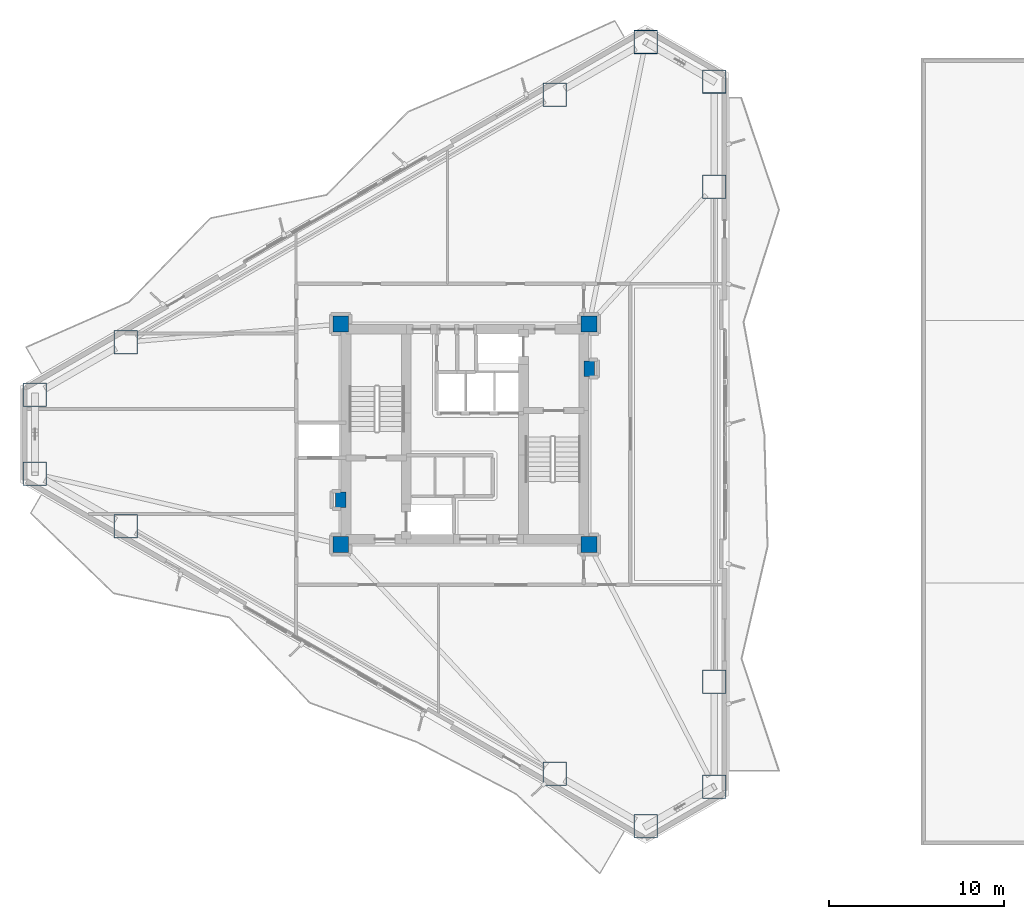
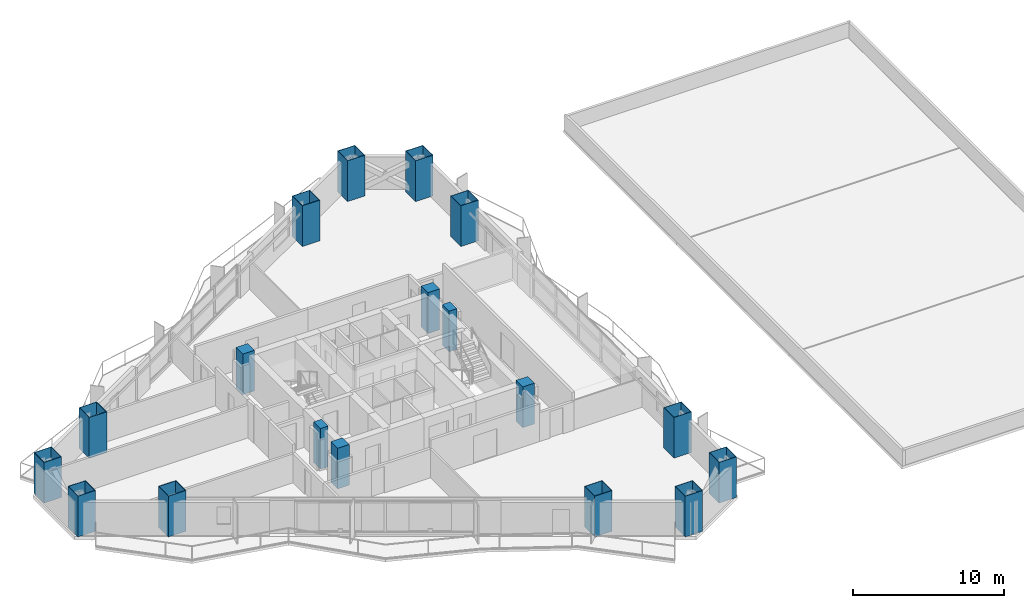
# One storey, part 1 of 16: 18 columns.
"""IFC4 building model written with IfcOpenShell, lengths in metres."""

from ifc_helpers import new_model, si_unit, direction, frame, origin, origin_2d, place, context, subcontext, project, spatial, rectangle, hollow_rectangle, extrude, material, material_profile, profile_set, type_object, element, save


model = new_model("IFC4")

# Units and contexts
model_context = context("Model", 3, precision=1e-05, world=origin(), true_north=direction((0.0, 1.0)))
body_context = subcontext(model_context, "Body", "Model", "MODEL_VIEW")
ifc_project = project(units=[si_unit("LENGTHUNIT", "METRE"), si_unit("AREAUNIT", "SQUARE_METRE"), si_unit("VOLUMEUNIT", "CUBIC_METRE"), si_unit("PLANEANGLEUNIT", "RADIAN"), si_unit("MASSUNIT", "GRAM", prefix="KILO")], contexts=[model_context])

# Site, building, storey
site_placement = place(None, origin())
site = spatial("IfcSite", under=ifc_project, at=site_placement, CompositionType="ELEMENT")
building_placement = place(site_placement, origin())
building = spatial("IfcBuilding", under=site, at=building_placement, Name="Mersakhor Tower and Convention Hall", CompositionType="ELEMENT")
storey_placement = place(building_placement, frame((0.0, 0.0, 19.199951171875)))
storey = spatial("IfcBuildingStorey", under=building, at=storey_placement, Name="L04", CompositionType="ELEMENT", Elevation=19.199951171875)

# Columns
ifc_material_1 = material(Name="Concrete C70/85 in S460M steel box", Category="concrete")
ifc_material_profile_1 = material_profile(ifc_material_1, hollow_rectangle(XDim=1.35009765625, YDim=1.35009765625, WallThickness=0.035888671875, at=origin_2d()), Name="SHS 1350x1350x36")
ifc_profile_set_1 = profile_set([ifc_material_profile_1], Name="Concrete C70/85 in S460M steel box")
column_type_1 = type_object("IfcColumnType", Name="COL-CFT-1350", PredefinedType="COLUMN", material=ifc_profile_set_1)
for number, where, z_axis, x_axis, name in (
    (1, (4.4130859375, 29.00927734375, 0.0), (0.0, 0.0, 1.0), (1.0, 0.0, 0.0), "L04 Perimeter Mega-Column MC-01"),
    (2, (9.61669921875, 32.013671875, 0.0), (0.0, 0.0, 1.0), (1.0, 0.0, 0.0), "L04 Perimeter Mega-Column MC-02"),
    (3, (34.13330078125, 46.168212890625, 0.0), (0.0, 0.0, 1.0), (1.0, 0.0, 0.0), "L04 Perimeter Mega-Column MC-03"),
    (4, (39.3369140625, 49.172607421875, 0.0), (0.0, 0.0, 1.0), (1.0, 0.0, 0.0), "L04 Perimeter Mega-Column MC-04"),
    (5, (43.25, 46.913330078125, 0.0), (0.0, 0.0, 1.0), (1.0, 0.0, 0.0), "L04 Perimeter Mega-Column MC-05"),
    (6, (43.25, 40.904541015625, 0.0), (0.0, 0.0, 1.0), (1.0, 0.0, 0.0), "L04 Perimeter Mega-Column MC-06"),
    (7, (43.25, 12.595458984375, 0.0), (0.0, 0.0, 1.0), (1.0, 0.0, 0.0), "L04 Perimeter Mega-Column MC-07"),
    (8, (43.25, 6.586669921875, 0.0), (0.0, 0.0, 1.0), (1.0, 0.0, 0.0), "L04 Perimeter Mega-Column MC-08"),
    (9, (39.3369140625, 4.327392578125, 0.0), (0.0, 0.0, 1.0), (1.0, 0.0, 0.0), "L04 Perimeter Mega-Column MC-09"),
    (10, (34.13330078125, 7.331787109375, 0.0), (0.0, 0.0, 1.0), (1.0, 0.0, 0.0), "L04 Perimeter Mega-Column MC-10"),
    (11, (9.61669921875, 21.486328125, 0.0), (0.0, 0.0, 1.0), (1.0, 0.0, 0.0), "L04 Perimeter Mega-Column MC-11"),
    (12, (4.4130859375, 24.49072265625, 0.0), (0.0, 0.0, 1.0), (1.0, 0.0, 0.0), "L04 Perimeter Mega-Column MC-12"),
):
    element("IfcColumn", number, at=place(storey_placement, frame(where, z_axis=z_axis, x_axis=x_axis)), inside=storey, type_object=column_type_1, Name=name, PredefinedType="COLUMN", context=body_context, shape_type="SweptSolid", body=[
        extrude(hollow_rectangle(XDim=1.35009765625, YDim=1.35009765625, WallThickness=0.035888671875, at=origin_2d()), origin(), (0.0, 0.0, 1.0), 3.300048828125),
    ])
ifc_material_2 = material(Name="Concrete C60/75", Category="concrete")
ifc_material_profile_2 = material_profile(ifc_material_2, rectangle(XDim=0.89990234375, YDim=0.89990234375, at=origin_2d()), Name="RC 900x900")
ifc_profile_set_2 = profile_set([ifc_material_profile_2], Name="Concrete C60/75")
column_type_2 = type_object("IfcColumnType", Name="COL-RC-900", PredefinedType="COLUMN", material=ifc_profile_set_2)
for number, where, z_axis, x_axis, name in (
    (13, (21.89990234375, 20.449951171875, 0.0), (0.0, 0.0, 1.0), (1.0, 0.0, 0.0), "L04 Core Corner Column CC-1"),
    (14, (21.89990234375, 33.050048828125, 0.0), (0.0, 0.0, 1.0), (1.0, 0.0, 0.0), "L04 Core Corner Column CC-2"),
    (15, (36.10009765625, 33.050048828125, 0.0), (0.0, 0.0, 1.0), (1.0, 0.0, 0.0), "L04 Core Corner Column CC-3"),
    (16, (36.10009765625, 20.449951171875, 0.0), (0.0, 0.0, 1.0), (1.0, 0.0, 0.0), "L04 Core Corner Column CC-4"),
):
    element("IfcColumn", number, at=place(storey_placement, frame(where, z_axis=z_axis, x_axis=x_axis)), inside=storey, type_object=column_type_2, Name=name, PredefinedType="COLUMN", context=body_context, shape_type="SweptSolid", body=[
        extrude(rectangle(XDim=0.89990234375, YDim=0.89990234375, at=origin_2d()), origin(), (0.0, 0.0, 1.0), 3.300048828125),
    ])
ifc_material_3 = material(Name="Concrete C50/60", Category="concrete")
ifc_material_profile_3 = material_profile(ifc_material_3, rectangle(XDim=0.60009765625, YDim=0.89990234375, at=origin_2d()), Name="RC 600x900")
ifc_profile_set_3 = profile_set([ifc_material_profile_3], Name="Concrete C50/60")
column_type_3 = type_object("IfcColumnType", Name="PIL-RC-600x900", PredefinedType="PILASTER", material=ifc_profile_set_3)
for number, where, z_axis, x_axis, name in (
    (17, (21.89990234375, 23.0, 0.0), (0.0, 0.0, 1.0), (1.0, 0.0, 0.0), "L04 Core Wall Pilaster CP-1"),
    (18, (36.10009765625, 30.5, 0.0), (0.0, 0.0, 1.0), (1.0, 0.0, 0.0), "L04 Core Wall Pilaster CP-2"),
):
    element("IfcColumn", number, at=place(storey_placement, frame(where, z_axis=z_axis, x_axis=x_axis)), inside=storey, type_object=column_type_3, Name=name, PredefinedType="PILASTER", context=body_context, shape_type="SweptSolid", body=[
        extrude(rectangle(XDim=0.60009765625, YDim=0.89990234375, at=origin_2d()), origin(), (0.0, 0.0, 1.0), 3.300048828125),
    ])

save(model, "model.ifc")
